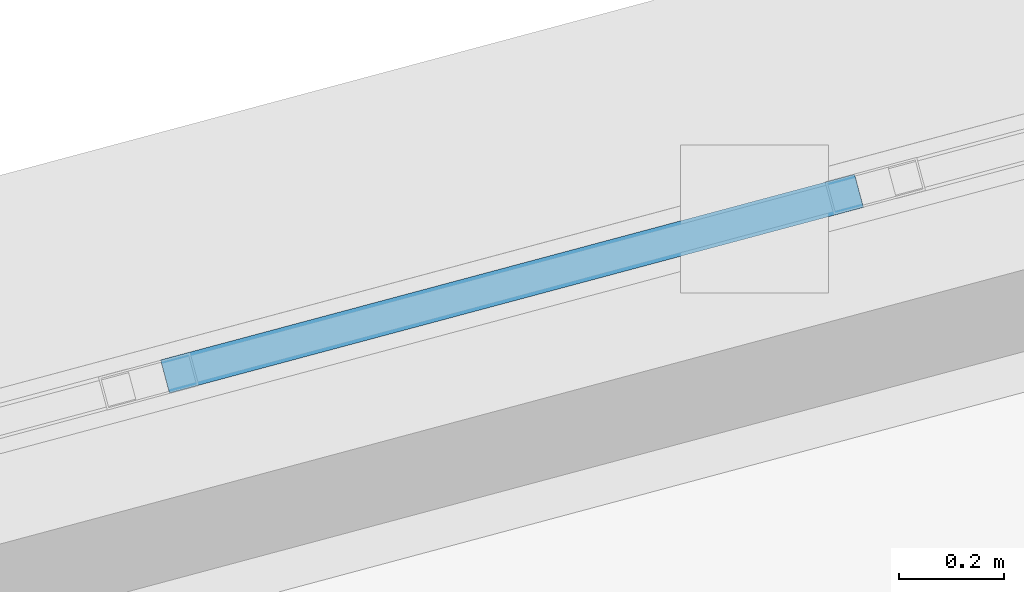
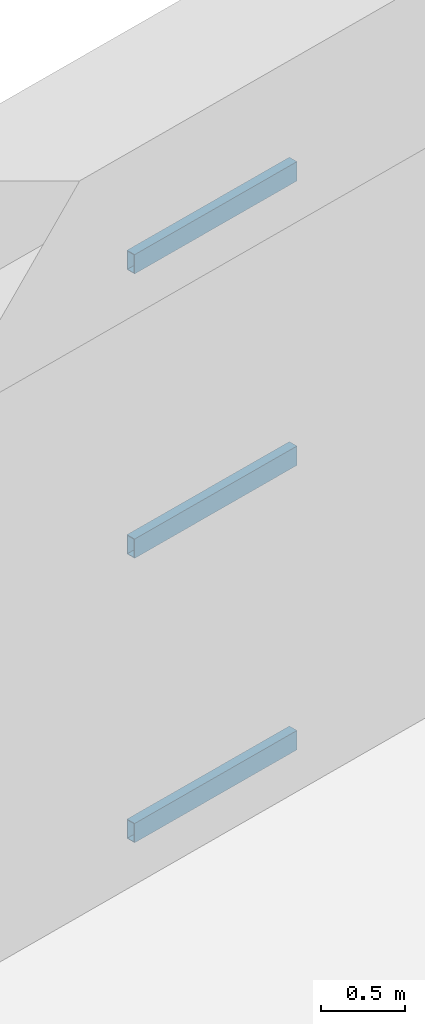
# One storey, part 38 of 72: 3 members, 1 element without a shape of its own.
"""IFC4 building model written with IfcOpenShell, lengths in metres."""

from ifc_helpers import new_model, si_unit, direction, frame, origin, origin_2d, place, context, subcontext, project, spatial, hollow_rectangle, extrude, material, material_profile, profile_set, type_object, element, aggregate, save


model = new_model("IFC4")

# Units and contexts
model_context = context("Model", 3, precision=1e-05, world=origin(), true_north=direction((0.0, 1.0)))
body_context = subcontext(model_context, "Body", "Model", "MODEL_VIEW")
ifc_project = project(units=[si_unit("LENGTHUNIT", "METRE"), si_unit("AREAUNIT", "SQUARE_METRE"), si_unit("VOLUMEUNIT", "CUBIC_METRE"), si_unit("PLANEANGLEUNIT", "RADIAN"), si_unit("MASSUNIT", "GRAM", prefix="KILO")], contexts=[model_context])

# Site, building, storey
site_placement = place(None, origin())
site = spatial("IfcSite", under=ifc_project, at=site_placement, CompositionType="ELEMENT")
building_placement = place(site_placement, origin())
building = spatial("IfcBuilding", under=site, at=building_placement, Name="Haizhuo Lancet Aquarium", CompositionType="ELEMENT")
storey_placement = place(building_placement, frame((0.0, 0.0, 21.60009765625)))
storey = spatial("IfcBuildingStorey", under=building, at=storey_placement, Name="L04", CompositionType="ELEMENT", Elevation=21.60009765625)

# Curtain wall, members
ifc_material = material(Name="Aluminium 6063-T6", Category="aluminium")
curtain_wall_type = type_object("IfcCurtainWallType", Name="CWO-9990x4180", PredefinedType="NOTDEFINED", material=ifc_material)
curtain_wall_placement = place(storey_placement, origin())
curtain_wall = element("IfcCurtainWall", 1, at=curtain_wall_placement, inside=storey, type_object=curtain_wall_type, Name="L04 curtain wall CW-V1-L04-04", PredefinedType="NOTDEFINED")
ifc_material_profile = material_profile(ifc_material, hollow_rectangle(XDim=0.06494140625, YDim=0.139892578125, WallThickness=0.00390625, at=origin_2d()), Name="ALU-T 65x140x4")
ifc_profile_set = profile_set([ifc_material_profile], Name="Aluminium 6063-T6")
member_type = type_object("IfcMemberType", Name="CW-TRN-1", PredefinedType="NOTDEFINED", material=ifc_profile_set)
member_1_placement = place(storey_placement, frame((-3.301025390625, 20.716064453125, 0.032958984375), z_axis=(0.966026395076, 0.258443425176, 0.0), x_axis=(-0.258443425176, 0.966026395076, 0.0)))
member_1 = element("IfcMember", 2, at=member_1_placement, type_object=member_type, Name="CWO-99x41 transom 6.1", ObjectType="TRANSOM", PredefinedType="USERDEFINED", context=body_context, shape_type="SweptSolid", body=[
    extrude(hollow_rectangle(XDim=0.06494140625, YDim=0.139892578125, WallThickness=0.00390625, at=origin_2d()), origin(), (0.0, 0.0, 1.0), 1.3623046875),
])
member_2_placement = place(storey_placement, frame((-3.301025390625, 20.716064453125, 2.093017578125), z_axis=(0.966026395076, 0.258443425176, 0.0), x_axis=(-0.258443425176, 0.966026395076, 0.0)))
member_2 = element("IfcMember", 3, at=member_2_placement, type_object=member_type, Name="CWO-99x41 transom 6.2", ObjectType="TRANSOM", PredefinedType="USERDEFINED", context=body_context, shape_type="SweptSolid", body=[
    extrude(hollow_rectangle(XDim=0.06494140625, YDim=0.139892578125, WallThickness=0.00390625, at=origin_2d()), origin(), (0.0, 0.0, 1.0), 1.3623046875),
])
member_3_placement = place(storey_placement, frame((-3.301025390625, 20.716064453125, 4.15283203125), z_axis=(0.966026395076, 0.258443425176, 0.0), x_axis=(-0.258443425176, 0.966026395076, 0.0)))
member_3 = element("IfcMember", 4, at=member_3_placement, type_object=member_type, Name="CWO-99x41 transom 6.3", ObjectType="TRANSOM", PredefinedType="USERDEFINED", context=body_context, shape_type="SweptSolid", body=[
    extrude(hollow_rectangle(XDim=0.06494140625, YDim=0.139892578125, WallThickness=0.00390625, at=origin_2d()), origin(), (0.0, 0.0, 1.0), 1.3623046875),
])
aggregate(curtain_wall, [member_1, member_2, member_3])

save(model, "model.ifc")
